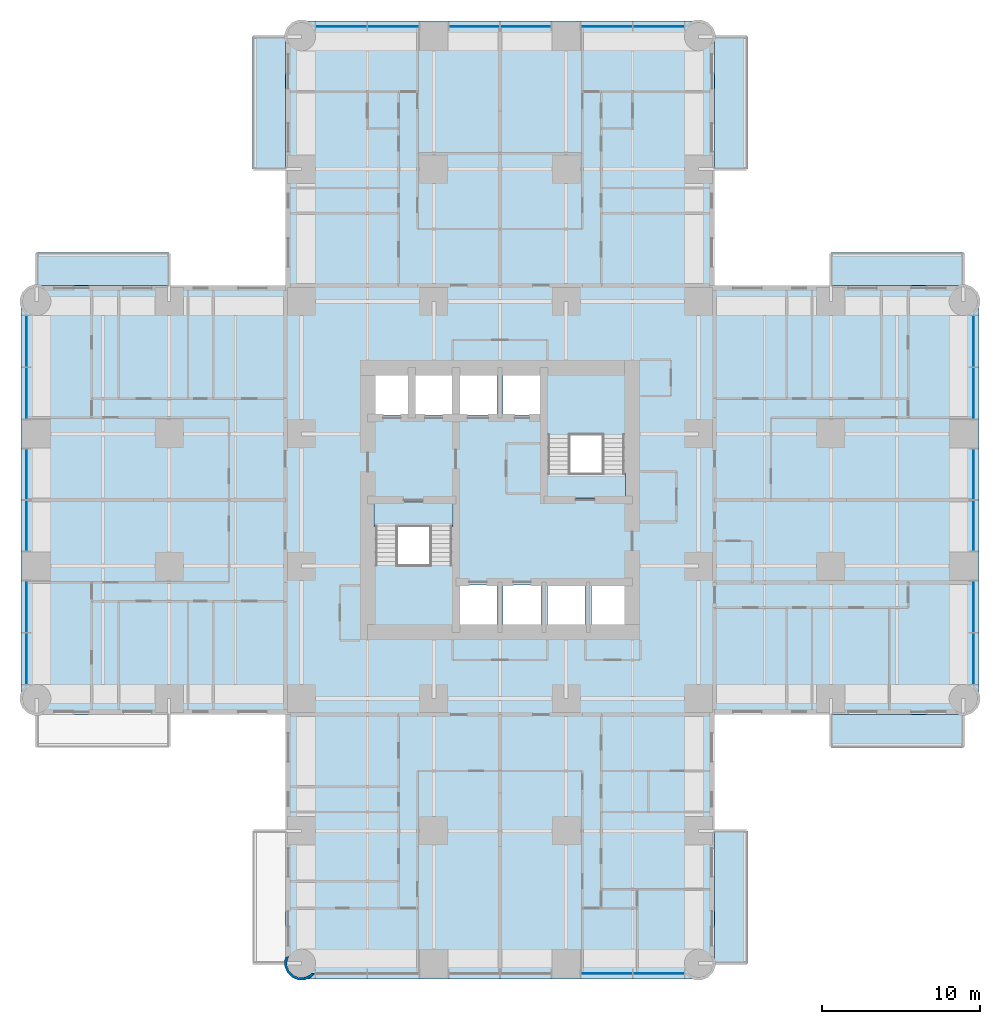
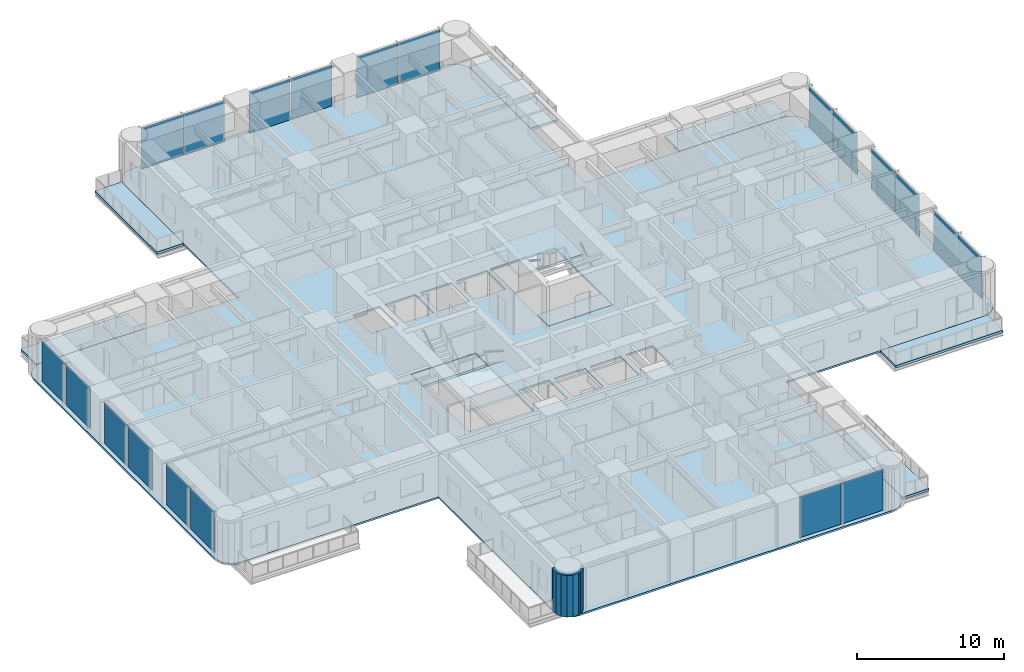
# One storey, part 6 of 17: 20 plates, 11 slabs, 1 wall, 6 elements without a shape of their own.
"""IFC4 building model written with IfcOpenShell, lengths in metres."""

from ifc_helpers import new_model, si_unit, direction, frame, origin, origin_2d, place, context, subcontext, project, spatial, polyline, rectangle, outline, extrude, material, layer, layer_set, type_object, element, aggregate, save


model = new_model("IFC4")

# Units and contexts
model_context = context("Model", 3, precision=1e-05, world=origin(), true_north=direction((0.0, 1.0)))
body_context = subcontext(model_context, "Body", "Model", "MODEL_VIEW")
ifc_project = project(units=[si_unit("LENGTHUNIT", "METRE"), si_unit("AREAUNIT", "SQUARE_METRE"), si_unit("VOLUMEUNIT", "CUBIC_METRE"), si_unit("PLANEANGLEUNIT", "RADIAN"), si_unit("MASSUNIT", "GRAM", prefix="KILO")], contexts=[model_context])

# Site, building, storey
site_placement = place(None, origin())
site = spatial("IfcSite", under=ifc_project, at=site_placement, CompositionType="ELEMENT")
building_placement = place(site_placement, origin())
building = spatial("IfcBuilding", under=site, at=building_placement, Name="Torre Alcanfor", CompositionType="ELEMENT")
storey_placement = place(building_placement, frame((0.0, 0.0, 56.10009765625)))
storey = spatial("IfcBuildingStorey", under=building, at=storey_placement, Name="L13", CompositionType="ELEMENT", Elevation=56.10009765625)

# Slabs
ifc_material_1 = material(Name="Concrete f'c 35 MPa", Category="concrete")
ifc_layer_1 = layer(ifc_material_1, 0.199951171875)
ifc_layer_set_1 = layer_set([ifc_layer_1], Name="Balcony slab 200")
slab_type_1 = type_object("IfcSlabType", Name="Balcony slab 200", PredefinedType="FLOOR", material=ifc_layer_set_1)
slab_1_placement = place(storey_placement, frame((0.0, 0.0, -0.2001953125)))
element("IfcSlab", 1, at=slab_1_placement, inside=storey, type_object=slab_type_1, Name="Balcony L13-N1", PredefinedType="FLOOR", context=body_context, shape_type="SweptSolid", body=[
    extrude(outline(polyline([(15.800048828125, 50.39990234375), (15.800048828125, 58.800048828125), (13.699951171875, 58.800048828125), (13.699951171875, 50.39990234375), (15.800048828125, 50.39990234375)])), origin(), (0.0, 0.0, 1.0), 0.2001953125),
])
slab_2_placement = place(storey_placement, frame((0.0, 0.0, -0.2001953125)))
element("IfcSlab", 2, at=slab_2_placement, inside=storey, type_object=slab_type_1, Name="Balcony L13-N2", PredefinedType="FLOOR", context=body_context, shape_type="SweptSolid", body=[
    extrude(outline(polyline([(45.10009765625, 50.39990234375), (45.10009765625, 58.800048828125), (43.0, 58.800048828125), (43.0, 50.39990234375), (45.10009765625, 50.39990234375)])), origin(), (0.0, 0.0, 1.0), 0.2001953125),
])
slab_3_placement = place(storey_placement, frame((0.0, 0.0, -0.2001953125)))
element("IfcSlab", 3, at=slab_3_placement, inside=storey, type_object=slab_type_1, Name="Balcony L13-E1", PredefinedType="FLOOR", context=body_context, shape_type="SweptSolid", body=[
    extrude(outline(polyline([(50.39990234375, 43.0), (58.800048828125, 43.0), (58.800048828125, 45.10009765625), (50.39990234375, 45.10009765625), (50.39990234375, 43.0)])), origin(), (0.0, 0.0, 1.0), 0.2001953125),
])
slab_4_placement = place(storey_placement, frame((0.0, 0.0, -0.2001953125)))
element("IfcSlab", 4, at=slab_4_placement, inside=storey, type_object=slab_type_1, Name="Balcony L13-E2", PredefinedType="FLOOR", context=body_context, shape_type="SweptSolid", body=[
    extrude(outline(polyline([(50.39990234375, 13.699951171875), (58.800048828125, 13.699951171875), (58.800048828125, 15.800048828125), (50.39990234375, 15.800048828125), (50.39990234375, 13.699951171875)])), origin(), (0.0, 0.0, 1.0), 0.2001953125),
])
slab_5_placement = place(storey_placement, frame((0.0, 0.0, -0.2001953125)))
element("IfcSlab", 5, at=slab_5_placement, inside=storey, type_object=slab_type_1, Name="Balcony L13-S1", PredefinedType="FLOOR", context=body_context, shape_type="SweptSolid", body=[
    extrude(outline(polyline([(43.0, 8.39990234375), (43.0, 0.0), (45.10009765625, 0.0), (45.10009765625, 8.39990234375), (43.0, 8.39990234375)])), origin(), (0.0, 0.0, 1.0), 0.2001953125),
])
slab_6_placement = place(storey_placement, frame((0.0, 0.0, -0.2001953125)))
element("IfcSlab", 6, at=slab_6_placement, inside=storey, type_object=slab_type_1, Name="Balcony L13-W2", PredefinedType="FLOOR", context=body_context, shape_type="SweptSolid", body=[
    extrude(outline(polyline([(8.39990234375, 45.10009765625), (0.0, 45.10009765625), (0.0, 43.0), (8.39990234375, 43.0), (8.39990234375, 45.10009765625)])), origin(), (0.0, 0.0, 1.0), 0.2001953125),
])

# Curtain wall, plates
ifc_material_2 = material(Name="Aluminium and glass", Category="aluminium")
curtain_wall_type = type_object("IfcCurtainWallType", Name="CW-A unitised apartment glazing with vertical FIN", PredefinedType="NOTDEFINED", material=ifc_material_2)
curtain_wall_1_placement = place(storey_placement, origin())
curtain_wall_1 = element("IfcCurtainWall", 7, at=curtain_wall_1_placement, inside=storey, type_object=curtain_wall_type, Name="Curtain wall CW-A L13 2", PredefinedType="NOTDEFINED")
ifc_material_3 = material(Name="Glass", Category="glass")
ifc_layer_2 = layer(ifc_material_3, 0.028076171875)
ifc_layer_set_2 = layer_set([ifc_layer_2], Name="CW-A clear double glazed unit")
plate_type = type_object("IfcPlateType", Name="CW-A clear double glazed unit", PredefinedType="CURTAIN_PANEL", material=ifc_layer_set_2)
plate_1_placement = place(storey_placement, frame((-0.64990234375, 39.484130859375, 0.0), z_axis=(0.0, 0.0, 1.0), x_axis=(0.0, -1.0, 0.0)))
plate_1 = element("IfcPlate", 8, at=plate_1_placement, type_object=plate_type, Name="CW-A panel 1.1.1", PredefinedType="CURTAIN_PANEL", context=body_context, shape_type="SweptSolid", body=[
    extrude(rectangle(XDim=3.232666015625, YDim=0.028076171875, at=origin_2d()), origin(), (0.0, 0.0, 1.0), 3.385009765625),
])
plate_2_placement = place(storey_placement, frame((-0.64990234375, 36.186279296875, 0.0), z_axis=(0.0, 0.0, 1.0), x_axis=(0.0, -1.0, 0.0)))
plate_2 = element("IfcPlate", 9, at=plate_2_placement, type_object=plate_type, Name="CW-A panel 1.2.1", PredefinedType="CURTAIN_PANEL", context=body_context, shape_type="SweptSolid", body=[
    extrude(rectangle(XDim=3.232666015625, YDim=0.028076171875, at=origin_2d()), origin(), (0.0, 0.0, 1.0), 3.385009765625),
])
plate_3_placement = place(storey_placement, frame((-0.64990234375, 31.03125, 0.0), z_axis=(0.0, 0.0, 1.0), x_axis=(0.0, -1.0, 0.0)))
plate_3 = element("IfcPlate", 10, at=plate_3_placement, type_object=plate_type, Name="CW-A panel 2.1.1", PredefinedType="CURTAIN_PANEL", context=body_context, shape_type="SweptSolid", body=[
    extrude(rectangle(XDim=3.197509765625, YDim=0.028076171875, at=origin_2d()), origin(), (0.0, 0.0, 1.0), 3.385009765625),
])
plate_4_placement = place(storey_placement, frame((-0.64990234375, 27.768798828125, 0.0), z_axis=(0.0, 0.0, 1.0), x_axis=(0.0, -1.0, 0.0)))
plate_4 = element("IfcPlate", 11, at=plate_4_placement, type_object=plate_type, Name="CW-A panel 2.2.1", PredefinedType="CURTAIN_PANEL", context=body_context, shape_type="SweptSolid", body=[
    extrude(rectangle(XDim=3.197509765625, YDim=0.028076171875, at=origin_2d()), origin(), (0.0, 0.0, 1.0), 3.385009765625),
])
plate_5_placement = place(storey_placement, frame((-0.64990234375, 22.613525390625, 0.0), z_axis=(0.0, 0.0, 1.0), x_axis=(0.0, -1.0, 0.0)))
plate_5 = element("IfcPlate", 12, at=plate_5_placement, type_object=plate_type, Name="CW-A panel 3.1.1", PredefinedType="CURTAIN_PANEL", context=body_context, shape_type="SweptSolid", body=[
    extrude(rectangle(XDim=3.232666015625, YDim=0.028076171875, at=origin_2d()), origin(), (0.0, 0.0, 1.0), 3.385009765625),
])
plate_6_placement = place(storey_placement, frame((-0.64990234375, 19.31591796875, 0.0), z_axis=(0.0, 0.0, 1.0), x_axis=(0.0, -1.0, 0.0)))
plate_6 = element("IfcPlate", 13, at=plate_6_placement, type_object=plate_type, Name="CW-A panel 3.2.1", PredefinedType="CURTAIN_PANEL", context=body_context, shape_type="SweptSolid", body=[
    extrude(rectangle(XDim=3.232666015625, YDim=0.028076171875, at=origin_2d()), origin(), (0.0, 0.0, 1.0), 3.385009765625),
])
aggregate(curtain_wall_1, [plate_1, plate_2, plate_3, plate_4, plate_5, plate_6])

curtain_wall_2_placement = place(storey_placement, origin())
curtain_wall_2 = element("IfcCurtainWall", 14, at=curtain_wall_2_placement, inside=storey, type_object=curtain_wall_type, Name="Curtain wall CW-A L13 5", PredefinedType="NOTDEFINED")
plate_7_placement = place(storey_placement, frame((36.186279296875, -0.64990234375, 0.0), z_axis=(0.0, 0.0, 1.0), x_axis=(1.0, 0.0, 0.0)))
plate_7 = element("IfcPlate", 15, at=plate_7_placement, type_object=plate_type, Name="CW-A panel 3.1.1", PredefinedType="CURTAIN_PANEL", context=body_context, shape_type="SweptSolid", body=[
    extrude(rectangle(XDim=3.232666015625, YDim=0.028076171875, at=origin_2d()), origin(), (0.0, 0.0, 1.0), 3.385009765625),
])
plate_8_placement = place(storey_placement, frame((39.484130859375, -0.64990234375, 0.0), z_axis=(0.0, 0.0, 1.0), x_axis=(1.0, 0.0, 0.0)))
plate_8 = element("IfcPlate", 16, at=plate_8_placement, type_object=plate_type, Name="CW-A panel 3.2.1", PredefinedType="CURTAIN_PANEL", context=body_context, shape_type="SweptSolid", body=[
    extrude(rectangle(XDim=3.232666015625, YDim=0.028076171875, at=origin_2d()), origin(), (0.0, 0.0, 1.0), 3.385009765625),
])
aggregate(curtain_wall_2, [plate_7, plate_8])

curtain_wall_3_placement = place(storey_placement, origin())
curtain_wall_3 = element("IfcCurtainWall", 17, at=curtain_wall_3_placement, inside=storey, type_object=curtain_wall_type, Name="Curtain wall CW-A L13 8", PredefinedType="NOTDEFINED")
plate_9_placement = place(storey_placement, frame((59.449951171875, 19.31591796875, 0.0), z_axis=(0.0, 0.0, 1.0), x_axis=(0.0, 1.0, 0.0)))
plate_9 = element("IfcPlate", 18, at=plate_9_placement, type_object=plate_type, Name="CW-A panel 1.1.1", PredefinedType="CURTAIN_PANEL", context=body_context, shape_type="SweptSolid", body=[
    extrude(rectangle(XDim=3.232666015625, YDim=0.028076171875, at=origin_2d()), origin(), (0.0, 0.0, 1.0), 3.385009765625),
])
plate_10_placement = place(storey_placement, frame((59.449951171875, 22.613525390625, 0.0), z_axis=(0.0, 0.0, 1.0), x_axis=(0.0, 1.0, 0.0)))
plate_10 = element("IfcPlate", 19, at=plate_10_placement, type_object=plate_type, Name="CW-A panel 1.2.1", PredefinedType="CURTAIN_PANEL", context=body_context, shape_type="SweptSolid", body=[
    extrude(rectangle(XDim=3.232666015625, YDim=0.028076171875, at=origin_2d()), origin(), (0.0, 0.0, 1.0), 3.385009765625),
])
plate_11_placement = place(storey_placement, frame((59.449951171875, 27.768798828125, 0.0), z_axis=(0.0, 0.0, 1.0), x_axis=(0.0, 1.0, 0.0)))
plate_11 = element("IfcPlate", 20, at=plate_11_placement, type_object=plate_type, Name="CW-A panel 2.1.1", PredefinedType="CURTAIN_PANEL", context=body_context, shape_type="SweptSolid", body=[
    extrude(rectangle(XDim=3.197509765625, YDim=0.028076171875, at=origin_2d()), origin(), (0.0, 0.0, 1.0), 3.385009765625),
])
plate_12_placement = place(storey_placement, frame((59.449951171875, 31.03125, 0.0), z_axis=(0.0, 0.0, 1.0), x_axis=(0.0, 1.0, 0.0)))
plate_12 = element("IfcPlate", 21, at=plate_12_placement, type_object=plate_type, Name="CW-A panel 2.2.1", PredefinedType="CURTAIN_PANEL", context=body_context, shape_type="SweptSolid", body=[
    extrude(rectangle(XDim=3.197509765625, YDim=0.028076171875, at=origin_2d()), origin(), (0.0, 0.0, 1.0), 3.385009765625),
])
plate_13_placement = place(storey_placement, frame((59.449951171875, 36.186279296875, 0.0), z_axis=(0.0, 0.0, 1.0), x_axis=(0.0, 1.0, 0.0)))
plate_13 = element("IfcPlate", 22, at=plate_13_placement, type_object=plate_type, Name="CW-A panel 3.1.1", PredefinedType="CURTAIN_PANEL", context=body_context, shape_type="SweptSolid", body=[
    extrude(rectangle(XDim=3.232666015625, YDim=0.028076171875, at=origin_2d()), origin(), (0.0, 0.0, 1.0), 3.385009765625),
])
plate_14_placement = place(storey_placement, frame((59.449951171875, 39.484130859375, 0.0), z_axis=(0.0, 0.0, 1.0), x_axis=(0.0, 1.0, 0.0)))
plate_14 = element("IfcPlate", 23, at=plate_14_placement, type_object=plate_type, Name="CW-A panel 3.2.1", PredefinedType="CURTAIN_PANEL", context=body_context, shape_type="SweptSolid", body=[
    extrude(rectangle(XDim=3.232666015625, YDim=0.028076171875, at=origin_2d()), origin(), (0.0, 0.0, 1.0), 3.385009765625),
])
aggregate(curtain_wall_3, [plate_9, plate_10, plate_11, plate_12, plate_13, plate_14])

curtain_wall_4_placement = place(storey_placement, origin())
curtain_wall_4 = element("IfcCurtainWall", 24, at=curtain_wall_4_placement, inside=storey, type_object=curtain_wall_type, Name="Curtain wall CW-A L13 11", PredefinedType="NOTDEFINED")
plate_15_placement = place(storey_placement, frame((39.484130859375, 59.449951171875, 0.0), z_axis=(0.0, 0.0, 1.0), x_axis=(-1.0, 0.0, 0.0)))
plate_15 = element("IfcPlate", 25, at=plate_15_placement, type_object=plate_type, Name="CW-A panel 1.1.1", PredefinedType="CURTAIN_PANEL", context=body_context, shape_type="SweptSolid", body=[
    extrude(rectangle(XDim=3.232666015625, YDim=0.028076171875, at=origin_2d()), origin(), (0.0, 0.0, 1.0), 3.385009765625),
])
plate_16_placement = place(storey_placement, frame((36.186279296875, 59.449951171875, 0.0), z_axis=(0.0, 0.0, 1.0), x_axis=(-1.0, 0.0, 0.0)))
plate_16 = element("IfcPlate", 26, at=plate_16_placement, type_object=plate_type, Name="CW-A panel 1.2.1", PredefinedType="CURTAIN_PANEL", context=body_context, shape_type="SweptSolid", body=[
    extrude(rectangle(XDim=3.232666015625, YDim=0.028076171875, at=origin_2d()), origin(), (0.0, 0.0, 1.0), 3.385009765625),
])
plate_17_placement = place(storey_placement, frame((31.03125, 59.449951171875, 0.0), z_axis=(0.0, 0.0, 1.0), x_axis=(-1.0, 0.0, 0.0)))
plate_17 = element("IfcPlate", 27, at=plate_17_placement, type_object=plate_type, Name="CW-A panel 2.1.1", PredefinedType="CURTAIN_PANEL", context=body_context, shape_type="SweptSolid", body=[
    extrude(rectangle(XDim=3.197509765625, YDim=0.028076171875, at=origin_2d()), origin(), (0.0, 0.0, 1.0), 3.385009765625),
])
plate_18_placement = place(storey_placement, frame((27.768798828125, 59.449951171875, 0.0), z_axis=(0.0, 0.0, 1.0), x_axis=(-1.0, 0.0, 0.0)))
plate_18 = element("IfcPlate", 28, at=plate_18_placement, type_object=plate_type, Name="CW-A panel 2.2.1", PredefinedType="CURTAIN_PANEL", context=body_context, shape_type="SweptSolid", body=[
    extrude(rectangle(XDim=3.197509765625, YDim=0.028076171875, at=origin_2d()), origin(), (0.0, 0.0, 1.0), 3.385009765625),
])
plate_19_placement = place(storey_placement, frame((22.613525390625, 59.449951171875, 0.0), z_axis=(0.0, 0.0, 1.0), x_axis=(-1.0, 0.0, 0.0)))
plate_19 = element("IfcPlate", 29, at=plate_19_placement, type_object=plate_type, Name="CW-A panel 3.1.1", PredefinedType="CURTAIN_PANEL", context=body_context, shape_type="SweptSolid", body=[
    extrude(rectangle(XDim=3.232666015625, YDim=0.028076171875, at=origin_2d()), origin(), (0.0, 0.0, 1.0), 3.385009765625),
])
plate_20_placement = place(storey_placement, frame((19.31591796875, 59.449951171875, 0.0), z_axis=(0.0, 0.0, 1.0), x_axis=(-1.0, 0.0, 0.0)))
plate_20 = element("IfcPlate", 30, at=plate_20_placement, type_object=plate_type, Name="CW-A panel 3.2.1", PredefinedType="CURTAIN_PANEL", context=body_context, shape_type="SweptSolid", body=[
    extrude(rectangle(XDim=3.232666015625, YDim=0.028076171875, at=origin_2d()), origin(), (0.0, 0.0, 1.0), 3.385009765625),
])
aggregate(curtain_wall_4, [plate_15, plate_16, plate_17, plate_18, plate_19, plate_20])

# Slab
ifc_material_4 = material(Name="Concrete f'c 35 MPa", Category="concrete")
ifc_layer_3 = layer(ifc_material_4, 0.14990234375)
ifc_layer_set_3 = layer_set([ifc_layer_3], Name="Composite floor 150 on metal deck")
slab_type_2 = type_object("IfcSlabType", Name="Composite floor 150 on metal deck", PredefinedType="FLOOR", material=ifc_layer_set_3)
slab_7_placement = place(storey_placement, frame((0.0, 0.0, -0.150146484375)))
element("IfcSlab", 31, at=slab_7_placement, inside=storey, type_object=slab_type_2, Name="Floor slab L13", PredefinedType="FLOOR", context=body_context, shape_type="SweptSolid", body=[
    extrude(outline(polyline([(15.800048828125, 43.0), (0.39990234375, 43.0), (0.03759765625, 42.952392578125), (-0.300048828125, 42.8125), (-0.58984375, 42.58984375), (-0.8125, 42.300048828125), (-0.952392578125, 41.96240234375), (-1.0, 41.60009765625), (-1.0, 17.199951171875), (-0.952392578125, 16.837646484375), (-0.8125, 16.5), (-0.58984375, 16.210205078125), (-0.300048828125, 15.987548828125), (0.03759765625, 15.84765625), (0.39990234375, 15.800048828125), (15.800048828125, 15.800048828125), (15.800048828125, 0.39990234375), (15.84765625, 0.03759765625), (15.987548828125, -0.300048828125), (16.210205078125, -0.58984375), (16.5, -0.8125), (16.837646484375, -0.952392578125), (17.199951171875, -1.0), (41.60009765625, -1.0), (41.96240234375, -0.952392578125), (42.300048828125, -0.8125), (42.58984375, -0.58984375), (42.8125, -0.300048828125), (42.952392578125, 0.03759765625), (43.0, 0.39990234375), (43.0, 15.800048828125), (58.39990234375, 15.800048828125), (58.76220703125, 15.84765625), (59.10009765625, 15.987548828125), (59.389892578125, 16.210205078125), (59.6123046875, 16.5), (59.752197265625, 16.837646484375), (59.800048828125, 17.199951171875), (59.800048828125, 41.60009765625), (59.752197265625, 41.96240234375), (59.6123046875, 42.300048828125), (59.389892578125, 42.58984375), (59.10009765625, 42.8125), (58.76220703125, 42.952392578125), (58.39990234375, 43.0), (43.0, 43.0), (43.0, 58.39990234375), (42.952392578125, 58.76220703125), (42.8125, 59.10009765625), (42.58984375, 59.389892578125), (42.300048828125, 59.6123046875), (41.96240234375, 59.752197265625), (41.60009765625, 59.800048828125), (17.199951171875, 59.800048828125), (16.837646484375, 59.752197265625), (16.5, 59.6123046875), (16.210205078125, 59.389892578125), (15.987548828125, 59.10009765625), (15.84765625, 58.76220703125), (15.800048828125, 58.39990234375), (15.800048828125, 43.0)]), holes=[polyline([(21.419921875, 21.419921875), (26.47998046875, 21.419921875), (26.47998046875, 29.280029296875), (21.419921875, 29.280029296875), (21.419921875, 21.419921875)]), polyline([(32.320068359375, 29.52001953125), (37.3798828125, 29.52001953125), (37.3798828125, 37.3798828125), (32.320068359375, 37.3798828125), (32.320068359375, 29.52001953125)]), polyline([(26.800048828125, 21.5), (29.199951171875, 21.5), (29.199951171875, 24.0), (26.800048828125, 24.0), (26.800048828125, 21.5)]), polyline([(29.60009765625, 21.5), (32.0, 21.5), (32.0, 24.0), (29.60009765625, 24.0), (29.60009765625, 21.5)]), polyline([(32.39990234375, 21.5), (34.800048828125, 21.5), (34.800048828125, 24.0), (32.39990234375, 24.0), (32.39990234375, 21.5)]), polyline([(35.199951171875, 21.5), (37.300048828125, 21.5), (37.300048828125, 24.0), (35.199951171875, 24.0), (35.199951171875, 21.5)]), polyline([(21.5, 34.800048828125), (23.60009765625, 34.800048828125), (23.60009765625, 37.300048828125), (21.5, 37.300048828125), (21.5, 34.800048828125)]), polyline([(24.0, 34.800048828125), (26.39990234375, 34.800048828125), (26.39990234375, 37.300048828125), (24.0, 37.300048828125), (24.0, 34.800048828125)]), polyline([(26.800048828125, 34.800048828125), (29.199951171875, 34.800048828125), (29.199951171875, 37.300048828125), (26.800048828125, 37.300048828125), (26.800048828125, 34.800048828125)]), polyline([(29.60009765625, 34.800048828125), (32.0, 34.800048828125), (32.0, 37.300048828125), (29.60009765625, 37.300048828125), (29.60009765625, 34.800048828125)])]), origin(), (0.0, 0.0, 1.0), 0.150146484375),
])

# Stair, slabs
ifc_material_5 = material(Name="Concrete f'c 35 MPa", Category="concrete")
stair_type_1 = type_object("IfcStairType", Name="Exit stair S1 1400 wide", PredefinedType="HALF_TURN_STAIR", material=ifc_material_5)
stair_1_placement = place(storey_placement, origin())
stair_1 = element("IfcStair", 32, at=stair_1_placement, inside=storey, type_object=stair_type_1, Name="Stair S1 L13 to L14", PredefinedType="HALF_TURN_STAIR")
ifc_material_6 = material(Name="Concrete f'c 35 MPa", Category="concrete")
ifc_layer_4 = layer(ifc_material_6, 0.199951171875)
ifc_layer_set_4 = layer_set([ifc_layer_4], Name="Stair landing 200")
slab_type_3 = type_object("IfcSlabType", Name="Stair landing 200", PredefinedType="LANDING", material=ifc_layer_set_4)
slab_8_placement = place(storey_placement, frame((0.0, 0.0, -0.2001953125)))
slab_8 = element("IfcSlab", 33, at=slab_8_placement, type_object=slab_type_3, Name="S1 landing 1", PredefinedType="LANDING", context=body_context, shape_type="SweptSolid", body=[
    extrude(outline(polyline([(21.419921875, 27.699951171875), (26.429931640625, 27.699951171875), (26.429931640625, 29.22998046875), (21.419921875, 29.22998046875), (21.419921875, 27.699951171875)])), origin(), (0.0, 0.0, 1.0), 0.2001953125),
])
slab_9_placement = place(storey_placement, frame((0.0, 0.0, 1.599853515625)))
slab_9 = element("IfcSlab", 34, at=slab_9_placement, type_object=slab_type_3, Name="S1 landing 2", PredefinedType="LANDING", context=body_context, shape_type="SweptSolid", body=[
    extrude(outline(polyline([(21.419921875, 21.419921875), (26.429931640625, 21.419921875), (26.429931640625, 25.280029296875), (21.419921875, 25.280029296875), (21.419921875, 21.419921875)])), origin(), (0.0, 0.0, 1.0), 0.199951171875),
])
aggregate(stair_1, [slab_8, slab_9])

ifc_material_7 = material(Name="Concrete f'c 35 MPa", Category="concrete")
stair_type_2 = type_object("IfcStairType", Name="Exit stair S2 1400 wide", PredefinedType="HALF_TURN_STAIR", material=ifc_material_7)
stair_2_placement = place(storey_placement, origin())
stair_2 = element("IfcStair", 35, at=stair_2_placement, inside=storey, type_object=stair_type_2, Name="Stair S2 L13 to L14", PredefinedType="HALF_TURN_STAIR")
slab_10_placement = place(storey_placement, frame((0.0, 0.0, -0.2001953125)))
slab_10 = element("IfcSlab", 36, at=slab_10_placement, type_object=slab_type_3, Name="S2 landing 1", PredefinedType="LANDING", context=body_context, shape_type="SweptSolid", body=[
    extrude(outline(polyline([(32.3701171875, 29.570068359375), (37.3798828125, 29.570068359375), (37.3798828125, 31.10009765625), (32.3701171875, 31.10009765625), (32.3701171875, 29.570068359375)])), origin(), (0.0, 0.0, 1.0), 0.2001953125),
])
slab_11_placement = place(storey_placement, frame((0.0, 0.0, 1.599853515625)))
slab_11 = element("IfcSlab", 37, at=slab_11_placement, type_object=slab_type_3, Name="S2 landing 2", PredefinedType="LANDING", context=body_context, shape_type="SweptSolid", body=[
    extrude(outline(polyline([(32.3701171875, 33.52001953125), (37.3798828125, 33.52001953125), (37.3798828125, 37.3798828125), (32.3701171875, 37.3798828125), (32.3701171875, 33.52001953125)])), origin(), (0.0, 0.0, 1.0), 0.199951171875),
])
aggregate(stair_2, [slab_10, slab_11])

# Wall
ifc_material_8 = material(Name="Limestone cladding", Category="masonry")
ifc_layer_5 = layer(ifc_material_8, 0.0400390625, Name="Facing")
ifc_material_9 = material(Name="Ventilated air cavity")
ifc_layer_6 = layer(ifc_material_9, 0.02001953125, ventilated=True, Name="Ventilated joint")
ifc_material_10 = material(Name="Mineral wool insulation", Category="insulation")
ifc_layer_7 = layer(ifc_material_10, 0.10009765625, Name="Insulation")
ifc_material_11 = material(Name="Concrete f'c 35 MPa", Category="concrete")
ifc_layer_8 = layer(ifc_material_11, 0.139892578125, Name="Backing")
ifc_layer_set_5 = layer_set([ifc_layer_5, ifc_layer_6, ifc_layer_7, ifc_layer_8], Name="Rounded corner pier stone-clad 300")
wall_type = type_object("IfcWallType", Name="Rounded corner pier stone-clad 300", PredefinedType="SOLIDWALL", material=ifc_layer_set_5)
wall_placement = place(storey_placement, frame((15.890092843, 0.363962863, 0.0), z_axis=(0.0, 0.0, 1.0), x_axis=(-0.377204953059, -0.926129809145, 0.0)))
element("IfcWall", 38, at=wall_placement, inside=storey, type_object=wall_type, Name="Corner pier L13 15", PredefinedType="SOLIDWALL", context=body_context, shape_type="SweptSolid", body=[
    extrude(outline(polyline([(0.36025406326845444, 1.8033251535395152), (0.5088520451897254, 1.7407402151136773), (0.7605729288027181, 1.4858036812916837), (0.8957625945963965, 1.1538802047718164), (0.8938847377533284, 0.7953914035812757), (0.7547773157275899, 0.46510295554213366), (0.4997067670481534, 0.21306387496571194), (0.16778329052828606, 0.07787420917203358), (-0.09994023900030424, 0.0795504548732244), (0.0006804239564057041, -0.09694899646014049), (0.029999294732247404, -0.08026261581225796), (0.19856690358048068, -0.0812004843578153), (0.5888257049928043, 0.07774867310804906), (0.8888185520201115, 0.37418200048294215), (1.0525847078153452, 0.7630186897929918), (1.0551554850896743, 1.184529802966568), (0.896114236570817, 1.5750147102893275), (0.7776681844062314, 1.6949582431572732), (0.7691216165340404, 1.727592391840862), (0.7502462480266835, 1.7228043636692119), (0.599680909195924, 1.8750075573166347), (0.2945300212676607, 2.0035278056043833), (0.2809636666415082, 1.9980023424248052), (0.36025406326845444, 1.8033251535395152)])), origin(), (0.0, 0.0, 1.0), 3.449951171875),
])

save(model, "model.ifc")
